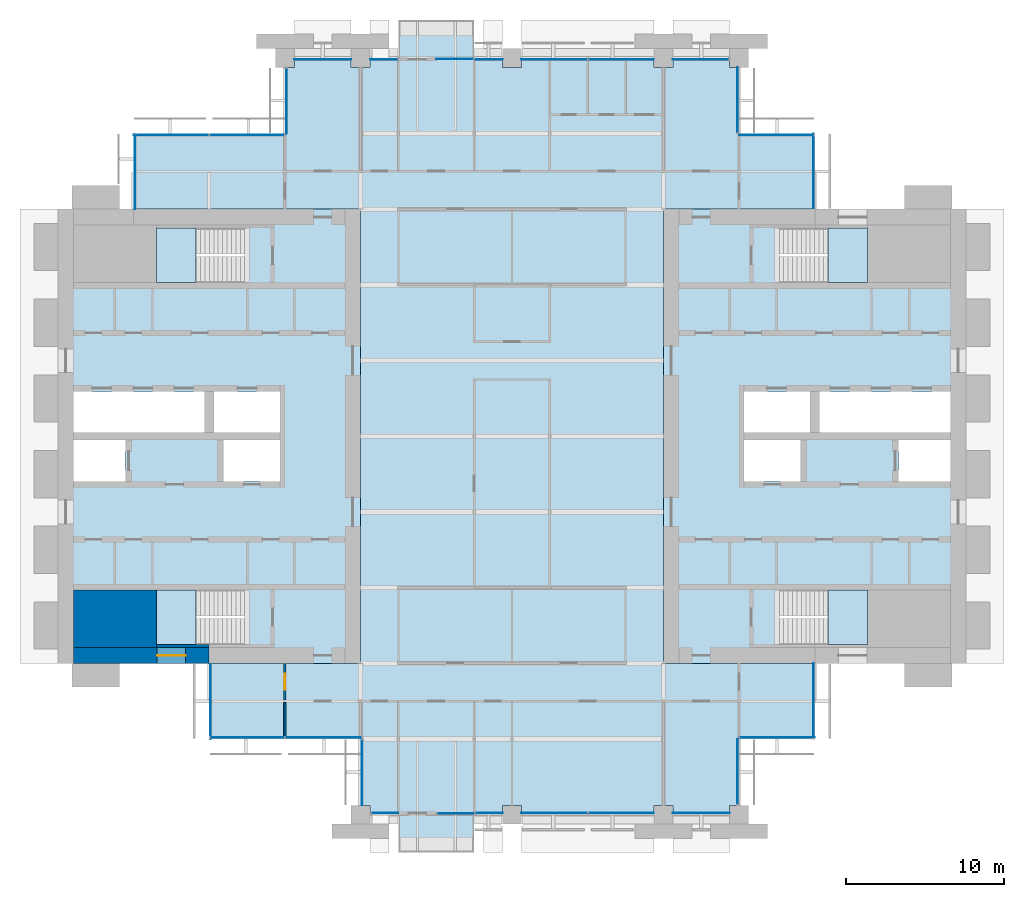
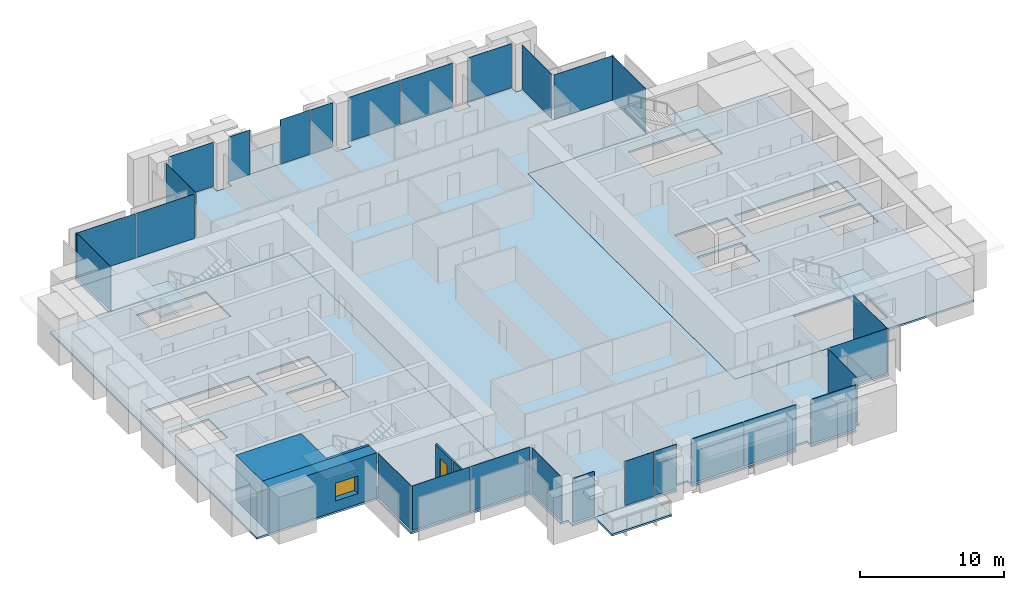
# One storey, part 8 of 15: 27 plates, 9 slabs, 5 walls, 1 door, 1 window, 2 openings, 22 elements without a shape of their own.
"""IFC4 building model written with IfcOpenShell, lengths in metres."""

from ifc_helpers import new_model, si_unit, direction, frame, frame_2d, origin, origin_2d, place, context, subcontext, project, spatial, polyline, rectangle, outline, extrude, material, layer, layer_set, type_object, element, fill, aggregate, save


model = new_model("IFC4")

# Units and contexts
model_context = context("Model", 3, precision=1e-05, world=origin(), true_north=direction((0.0, 1.0)))
body_context = subcontext(model_context, "Body", "Model", "MODEL_VIEW")
ifc_project = project(units=[si_unit("LENGTHUNIT", "METRE"), si_unit("AREAUNIT", "SQUARE_METRE"), si_unit("VOLUMEUNIT", "CUBIC_METRE"), si_unit("PLANEANGLEUNIT", "RADIAN"), si_unit("MASSUNIT", "GRAM", prefix="KILO")], contexts=[model_context])

# Site, building, storey
site_placement = place(None, origin())
site = spatial("IfcSite", under=ifc_project, at=site_placement, CompositionType="ELEMENT")
building_placement = place(site_placement, origin())
building = spatial("IfcBuilding", under=site, at=building_placement, Name="Baori Bourse Tower", CompositionType="ELEMENT")
storey_placement = place(building_placement, frame((0.0, 0.0, 152.10009765625)))
storey = spatial("IfcBuildingStorey", under=building, at=storey_placement, Name="L33", CompositionType="ELEMENT", Elevation=152.10009765625)

# Slabs
ifc_material_1 = material(Name="Concrete f'c 40 MPa", Category="concrete")
ifc_layer_1 = layer(ifc_material_1, 0.159912109375)
ifc_layer_set_1 = layer_set([ifc_layer_1], Name="BL2 Balcony slab 160")
slab_type_1 = type_object("IfcSlabType", Name="BL2 Balcony slab 160", PredefinedType="FLOOR", material=ifc_layer_set_1)
slab_1_placement = place(storey_placement, frame((0.0, 0.0, -0.16015625)))
element("IfcSlab", 1, at=slab_1_placement, inside=storey, type_object=slab_type_1, Name="Balcony slab L33 S", PredefinedType="FLOOR", context=body_context, shape_type="SweptSolid", body=[
    extrude(outline(polyline([(21.60009765625, 0.0), (21.60009765625, -2.39990234375), (26.39990234375, -2.39990234375), (26.39990234375, 0.0), (21.60009765625, 0.0)])), origin(), (0.0, 0.0, 1.0), 0.16015625),
])
slab_2_placement = place(storey_placement, frame((0.0, 0.0, -0.16015625)))
element("IfcSlab", 2, at=slab_2_placement, inside=storey, type_object=slab_type_1, Name="Balcony slab L33 N", PredefinedType="FLOOR", context=body_context, shape_type="SweptSolid", body=[
    extrude(outline(polyline([(21.60009765625, 48.0), (26.39990234375, 48.0), (26.39990234375, 50.39990234375), (21.60009765625, 50.39990234375), (21.60009765625, 48.0)])), origin(), (0.0, 0.0, 1.0), 0.16015625),
])

# Curtain wall, plates
ifc_material_2 = material(Name="Pale anodised aluminium", Category="aluminium")
curtain_wall_type_1 = type_object("IfcCurtainWallType", Name="CW1 Curtain wall", PredefinedType="NOTDEFINED", material=ifc_material_2)
curtain_wall_1_placement = place(storey_placement, origin())
curtain_wall_1 = element("IfcCurtainWall", 3, at=curtain_wall_1_placement, inside=storey, type_object=curtain_wall_type_1, Name="Curtain wall CW1 L33 4", PredefinedType="NOTDEFINED")
ifc_material_3 = material(Name="Clear glass", Category="glass")
ifc_layer_2 = layer(ifc_material_3, 0.033935546875)
ifc_layer_set_2 = layer_set([ifc_layer_2], Name="CW1 Curtain wall panel")
plate_type_1 = type_object("IfcPlateType", Name="CW1 Curtain wall panel", PredefinedType="CURTAIN_PANEL", material=ifc_layer_set_2)
plate_1_placement = place(storey_placement, frame((40.77001953125, 47.89990234375, 0.080078125), z_axis=(0.0, 0.0, 1.0), x_axis=(-1.0, 0.0, 0.0)))
plate_1 = element("IfcPlate", 4, at=plate_1_placement, type_object=plate_type_1, Name="Curtain wall CW1 panel", PredefinedType="CURTAIN_PANEL", context=body_context, shape_type="SweptSolid", body=[
    extrude(rectangle(XDim=3.5400390625, YDim=0.033935546875, at=origin_2d()), origin(), (0.0, 0.0, 1.0), 3.760009765625),
])
plate_2_placement = place(storey_placement, frame((35.715087890625, 47.89990234375, 0.080078125), z_axis=(0.0, 0.0, 1.0), x_axis=(-1.0, 0.0, 0.0)))
plate_2 = element("IfcPlate", 5, at=plate_2_placement, type_object=plate_type_1, Name="Curtain wall CW1 panel", PredefinedType="CURTAIN_PANEL", context=body_context, shape_type="SweptSolid", body=[
    extrude(rectangle(XDim=4.169921875, YDim=0.033935546875, at=origin_2d()), origin(), (0.0, 0.0, 1.0), 3.760009765625),
])
plate_3_placement = place(storey_placement, frame((31.485107421875, 47.89990234375, 0.080078125), z_axis=(0.0, 0.0, 1.0), x_axis=(-1.0, 0.0, 0.0)))
plate_3 = element("IfcPlate", 6, at=plate_3_placement, type_object=plate_type_1, Name="Curtain wall CW1 panel", PredefinedType="CURTAIN_PANEL", context=body_context, shape_type="SweptSolid", body=[
    extrude(rectangle(XDim=4.169921875, YDim=0.033935546875, at=origin_2d()), origin(), (0.0, 0.0, 1.0), 3.760009765625),
])
plate_4_placement = place(storey_placement, frame((27.300048828125, 47.89990234375, 0.080078125), z_axis=(0.0, 0.0, 1.0), x_axis=(-1.0, 0.0, 0.0)))
plate_4 = element("IfcPlate", 7, at=plate_4_placement, type_object=plate_type_1, Name="Curtain wall CW1 panel", PredefinedType="CURTAIN_PANEL", context=body_context, shape_type="SweptSolid", body=[
    extrude(rectangle(XDim=1.800048828125, YDim=0.033935546875, at=origin_2d()), origin(), (0.0, 0.0, 1.0), 3.760009765625),
])
aggregate(curtain_wall_1, [plate_1, plate_2, plate_3, plate_4])

curtain_wall_2_placement = place(storey_placement, origin())
curtain_wall_2 = element("IfcCurtainWall", 8, at=curtain_wall_2_placement, inside=storey, type_object=curtain_wall_type_1, Name="Curtain wall CW1 L33 6", PredefinedType="NOTDEFINED")
plate_5_placement = place(storey_placement, frame((20.669921875, 47.89990234375, 0.080078125), z_axis=(0.0, 0.0, 1.0), x_axis=(-1.0, 0.0, 0.0)))
plate_5 = element("IfcPlate", 9, at=plate_5_placement, type_object=plate_type_1, Name="Curtain wall CW1 panel", PredefinedType="CURTAIN_PANEL", context=body_context, shape_type="SweptSolid", body=[
    extrude(rectangle(XDim=1.739990234375, YDim=0.033935546875, at=origin_2d()), origin(), (0.0, 0.0, 1.0), 3.760009765625),
])
plate_6_placement = place(storey_placement, frame((16.800048828125, 47.89990234375, 0.080078125), z_axis=(0.0, 0.0, 1.0), x_axis=(-1.0, 0.0, 0.0)))
plate_6 = element("IfcPlate", 10, at=plate_6_placement, type_object=plate_type_1, Name="Curtain wall CW1 panel", PredefinedType="CURTAIN_PANEL", context=body_context, shape_type="SweptSolid", body=[
    extrude(rectangle(XDim=3.60009765625, YDim=0.033935546875, at=origin_2d()), origin(), (0.0, 0.0, 1.0), 3.760009765625),
])
aggregate(curtain_wall_2, [plate_5, plate_6])

# Curtain wall, plate
curtain_wall_3_placement = place(storey_placement, origin())
curtain_wall_3 = element("IfcCurtainWall", 11, at=curtain_wall_3_placement, inside=storey, type_object=curtain_wall_type_1, Name="Curtain wall CW1 L33 13", PredefinedType="NOTDEFINED")
plate_7_placement = place(storey_placement, frame((20.72998046875, 0.10009765625, 0.080078125), z_axis=(0.0, 0.0, 1.0), x_axis=(1.0, 0.0, 0.0)))
plate_7 = element("IfcPlate", 12, at=plate_7_placement, type_object=plate_type_1, Name="Curtain wall CW1 panel", PredefinedType="CURTAIN_PANEL", context=body_context, shape_type="SweptSolid", body=[
    extrude(rectangle(XDim=1.739990234375, YDim=0.033935546875, at=origin_2d()), origin(), (0.0, 0.0, 1.0), 3.760009765625),
])
aggregate(curtain_wall_3, [plate_7])

# Curtain wall, plates
curtain_wall_4_placement = place(storey_placement, origin())
curtain_wall_4 = element("IfcCurtainWall", 13, at=curtain_wall_4_placement, inside=storey, type_object=curtain_wall_type_1, Name="Curtain wall CW1 L33 15", PredefinedType="NOTDEFINED")
plate_8_placement = place(storey_placement, frame((27.330078125, 0.10009765625, 0.080078125), z_axis=(0.0, 0.0, 1.0), x_axis=(1.0, 0.0, 0.0)))
plate_8 = element("IfcPlate", 14, at=plate_8_placement, type_object=plate_type_1, Name="Curtain wall CW1 panel", PredefinedType="CURTAIN_PANEL", context=body_context, shape_type="SweptSolid", body=[
    extrude(rectangle(XDim=1.739990234375, YDim=0.033935546875, at=origin_2d()), origin(), (0.0, 0.0, 1.0), 3.760009765625),
])
plate_9_placement = place(storey_placement, frame((31.485107421875, 0.10009765625, 0.080078125), z_axis=(0.0, 0.0, 1.0), x_axis=(1.0, 0.0, 0.0)))
plate_9 = element("IfcPlate", 15, at=plate_9_placement, type_object=plate_type_1, Name="Curtain wall CW1 panel", PredefinedType="CURTAIN_PANEL", context=body_context, shape_type="SweptSolid", body=[
    extrude(rectangle(XDim=4.169921875, YDim=0.033935546875, at=origin_2d()), origin(), (0.0, 0.0, 1.0), 3.760009765625),
])
plate_10_placement = place(storey_placement, frame((35.715087890625, 0.10009765625, 0.080078125), z_axis=(0.0, 0.0, 1.0), x_axis=(1.0, 0.0, 0.0)))
plate_10 = element("IfcPlate", 16, at=plate_10_placement, type_object=plate_type_1, Name="Curtain wall CW1 panel", PredefinedType="CURTAIN_PANEL", context=body_context, shape_type="SweptSolid", body=[
    extrude(rectangle(XDim=4.169921875, YDim=0.033935546875, at=origin_2d()), origin(), (0.0, 0.0, 1.0), 3.760009765625),
])
plate_11_placement = place(storey_placement, frame((40.800048828125, 0.10009765625, 0.080078125), z_axis=(0.0, 0.0, 1.0), x_axis=(1.0, 0.0, 0.0)))
plate_11 = element("IfcPlate", 17, at=plate_11_placement, type_object=plate_type_1, Name="Curtain wall CW1 panel", PredefinedType="CURTAIN_PANEL", context=body_context, shape_type="SweptSolid", body=[
    extrude(rectangle(XDim=3.60009765625, YDim=0.033935546875, at=origin_2d()), origin(), (0.0, 0.0, 1.0), 3.760009765625),
])
aggregate(curtain_wall_4, [plate_8, plate_9, plate_10, plate_11])

# Curtain wall, plate
ifc_material_4 = material(Name="Pale anodised aluminium", Category="aluminium")
curtain_wall_type_2 = type_object("IfcCurtainWallType", Name="CW2 Curtain wall", PredefinedType="NOTDEFINED", material=ifc_material_4)
curtain_wall_5_placement = place(storey_placement, origin())
curtain_wall_5 = element("IfcCurtainWall", 18, at=curtain_wall_5_placement, inside=storey, type_object=curtain_wall_type_2, Name="Curtain wall CW2 L33 1", PredefinedType="NOTDEFINED")
ifc_material_5 = material(Name="Clear glass", Category="glass")
ifc_layer_3 = layer(ifc_material_5, 0.030029296875)
ifc_layer_set_3 = layer_set([ifc_layer_3], Name="CW2 Curtain wall panel")
plate_type_2 = type_object("IfcPlateType", Name="CW2 Curtain wall panel", PredefinedType="CURTAIN_PANEL", material=ifc_layer_set_3)
plate_12_placement = place(storey_placement, frame((47.909912109375, 40.827392578125, 0.06982421875), z_axis=(0.0, 0.0, 1.0), x_axis=(0.0, 1.0, 0.0)))
plate_12 = element("IfcPlate", 19, at=plate_12_placement, type_object=plate_type_2, Name="Curtain wall CW2 panel", PredefinedType="CURTAIN_PANEL", context=body_context, shape_type="SweptSolid", body=[
    extrude(rectangle(XDim=4.7451171875, YDim=0.030029296875, at=origin_2d()), origin(), (0.0, 0.0, 1.0), 3.77001953125),
])
aggregate(curtain_wall_5, [plate_12])

curtain_wall_6_placement = place(storey_placement, origin())
curtain_wall_6 = element("IfcCurtainWall", 20, at=curtain_wall_6_placement, inside=storey, type_object=curtain_wall_type_2, Name="Curtain wall CW2 L33 2", PredefinedType="NOTDEFINED")
plate_13_placement = place(storey_placement, frame((45.572509765625, 43.110107421875, 0.06982421875), z_axis=(0.0, 0.0, 1.0), x_axis=(-1.0, 0.0, 0.0)))
plate_13 = element("IfcPlate", 21, at=plate_13_placement, type_object=plate_type_2, Name="Curtain wall CW2 panel", PredefinedType="CURTAIN_PANEL", context=body_context, shape_type="SweptSolid", body=[
    extrude(rectangle(XDim=4.7451171875, YDim=0.030029296875, at=origin_2d()), origin(), (0.0, 0.0, 1.0), 3.77001953125),
])
aggregate(curtain_wall_6, [plate_13])

curtain_wall_7_placement = place(storey_placement, origin())
curtain_wall_7 = element("IfcCurtainWall", 22, at=curtain_wall_7_placement, inside=storey, type_object=curtain_wall_type_2, Name="Curtain wall CW2 L33 3", PredefinedType="NOTDEFINED")
plate_14_placement = place(storey_placement, frame((43.110107421875, 45.327392578125, 0.06982421875), z_axis=(0.0, 0.0, 1.0), x_axis=(0.0, 1.0, 0.0)))
plate_14 = element("IfcPlate", 23, at=plate_14_placement, type_object=plate_type_2, Name="Curtain wall CW2 panel", PredefinedType="CURTAIN_PANEL", context=body_context, shape_type="SweptSolid", body=[
    extrude(rectangle(XDim=4.14501953125, YDim=0.030029296875, at=origin_2d()), origin(), (0.0, 0.0, 1.0), 3.77001953125),
])
aggregate(curtain_wall_7, [plate_14])

curtain_wall_8_placement = place(storey_placement, origin())
curtain_wall_8 = element("IfcCurtainWall", 24, at=curtain_wall_8_placement, inside=storey, type_object=curtain_wall_type_2, Name="Curtain wall CW2 L33 7", PredefinedType="NOTDEFINED")
plate_15_placement = place(storey_placement, frame((14.489990234375, 45.2724609375, 0.06982421875), z_axis=(0.0, 0.0, 1.0), x_axis=(0.0, -1.0, 0.0)))
plate_15 = element("IfcPlate", 25, at=plate_15_placement, type_object=plate_type_2, Name="Curtain wall CW2 panel", PredefinedType="CURTAIN_PANEL", context=body_context, shape_type="SweptSolid", body=[
    extrude(rectangle(XDim=4.14501953125, YDim=0.030029296875, at=origin_2d()), origin(), (0.0, 0.0, 1.0), 3.77001953125),
])
aggregate(curtain_wall_8, [plate_15])

# Curtain wall, plates
curtain_wall_9_placement = place(storey_placement, origin())
curtain_wall_9 = element("IfcCurtainWall", 26, at=curtain_wall_9_placement, inside=storey, type_object=curtain_wall_type_2, Name="Curtain wall CW2 L33 8", PredefinedType="NOTDEFINED")
plate_16_placement = place(storey_placement, frame((11.986328125, 43.110107421875, 0.06982421875), z_axis=(0.0, 0.0, 1.0), x_axis=(-1.0, 0.0, 0.0)))
plate_16 = element("IfcPlate", 27, at=plate_16_placement, type_object=plate_type_2, Name="Curtain wall CW2 panel", PredefinedType="CURTAIN_PANEL", context=body_context, shape_type="SweptSolid", body=[
    extrude(rectangle(XDim=4.717529296875, YDim=0.030029296875, at=origin_2d()), origin(), (0.0, 0.0, 1.0), 3.77001953125),
])
plate_17_placement = place(storey_placement, frame((7.186279296875, 43.110107421875, 0.06982421875), z_axis=(0.0, 0.0, 1.0), x_axis=(-1.0, 0.0, 0.0)))
plate_17 = element("IfcPlate", 28, at=plate_17_placement, type_object=plate_type_2, Name="Curtain wall CW2 panel", PredefinedType="CURTAIN_PANEL", context=body_context, shape_type="SweptSolid", body=[
    extrude(rectangle(XDim=4.7724609375, YDim=0.030029296875, at=origin_2d()), origin(), (0.0, 0.0, 1.0), 3.77001953125),
])
aggregate(curtain_wall_9, [plate_16, plate_17])

# Curtain wall, plate
curtain_wall_10_placement = place(storey_placement, origin())
curtain_wall_10 = element("IfcCurtainWall", 29, at=curtain_wall_10_placement, inside=storey, type_object=curtain_wall_type_2, Name="Curtain wall CW2 L33 9", PredefinedType="NOTDEFINED")
plate_18_placement = place(storey_placement, frame((4.889892578125, 40.7724609375, 0.06982421875), z_axis=(0.0, 0.0, 1.0), x_axis=(0.0, -1.0, 0.0)))
plate_18 = element("IfcPlate", 30, at=plate_18_placement, type_object=plate_type_2, Name="Curtain wall CW2 panel", PredefinedType="CURTAIN_PANEL", context=body_context, shape_type="SweptSolid", body=[
    extrude(rectangle(XDim=4.7451171875, YDim=0.030029296875, at=origin_2d()), origin(), (0.0, 0.0, 1.0), 3.77001953125),
])
aggregate(curtain_wall_10, [plate_18])

curtain_wall_11_placement = place(storey_placement, origin())
curtain_wall_11 = element("IfcCurtainWall", 31, at=curtain_wall_11_placement, inside=storey, type_object=curtain_wall_type_2, Name="Curtain wall CW2 L33 10", PredefinedType="NOTDEFINED")
plate_19_placement = place(storey_placement, frame((9.68994140625, 7.172607421875, 0.06982421875), z_axis=(0.0, 0.0, 1.0), x_axis=(0.0, -1.0, 0.0)))
plate_19 = element("IfcPlate", 32, at=plate_19_placement, type_object=plate_type_2, Name="Curtain wall CW2 panel", PredefinedType="CURTAIN_PANEL", context=body_context, shape_type="SweptSolid", body=[
    extrude(rectangle(XDim=4.7451171875, YDim=0.030029296875, at=origin_2d()), origin(), (0.0, 0.0, 1.0), 3.77001953125),
])
aggregate(curtain_wall_11, [plate_19])

# Curtain wall, plates
curtain_wall_12_placement = place(storey_placement, origin())
curtain_wall_12 = element("IfcCurtainWall", 33, at=curtain_wall_12_placement, inside=storey, type_object=curtain_wall_type_2, Name="Curtain wall CW2 L33 11", PredefinedType="NOTDEFINED")
plate_20_placement = place(storey_placement, frame((12.013671875, 4.889892578125, 0.06982421875), z_axis=(0.0, 0.0, 1.0), x_axis=(1.0, 0.0, 0.0)))
plate_20 = element("IfcPlate", 34, at=plate_20_placement, type_object=plate_type_2, Name="Curtain wall CW2 panel", PredefinedType="CURTAIN_PANEL", context=body_context, shape_type="SweptSolid", body=[
    extrude(rectangle(XDim=4.717529296875, YDim=0.030029296875, at=origin_2d()), origin(), (0.0, 0.0, 1.0), 3.77001953125),
])
plate_21_placement = place(storey_placement, frame((16.813720703125, 4.889892578125, 0.06982421875), z_axis=(0.0, 0.0, 1.0), x_axis=(1.0, 0.0, 0.0)))
plate_21 = element("IfcPlate", 35, at=plate_21_placement, type_object=plate_type_2, Name="Curtain wall CW2 panel", PredefinedType="CURTAIN_PANEL", context=body_context, shape_type="SweptSolid", body=[
    extrude(rectangle(XDim=4.7724609375, YDim=0.030029296875, at=origin_2d()), origin(), (0.0, 0.0, 1.0), 3.77001953125),
])
aggregate(curtain_wall_12, [plate_20, plate_21])

# Curtain wall, plate
curtain_wall_13_placement = place(storey_placement, origin())
curtain_wall_13 = element("IfcCurtainWall", 36, at=curtain_wall_13_placement, inside=storey, type_object=curtain_wall_type_2, Name="Curtain wall CW2 L33 12", PredefinedType="NOTDEFINED")
plate_22_placement = place(storey_placement, frame((19.2900390625, 2.672607421875, 0.06982421875), z_axis=(0.0, 0.0, 1.0), x_axis=(0.0, -1.0, 0.0)))
plate_22 = element("IfcPlate", 37, at=plate_22_placement, type_object=plate_type_2, Name="Curtain wall CW2 panel", PredefinedType="CURTAIN_PANEL", context=body_context, shape_type="SweptSolid", body=[
    extrude(rectangle(XDim=4.14501953125, YDim=0.030029296875, at=origin_2d()), origin(), (0.0, 0.0, 1.0), 3.77001953125),
])
aggregate(curtain_wall_13, [plate_22])

curtain_wall_14_placement = place(storey_placement, origin())
curtain_wall_14 = element("IfcCurtainWall", 38, at=curtain_wall_14_placement, inside=storey, type_object=curtain_wall_type_2, Name="Curtain wall CW2 L33 16", PredefinedType="NOTDEFINED")
plate_23_placement = place(storey_placement, frame((43.110107421875, 2.7275390625, 0.06982421875), z_axis=(0.0, 0.0, 1.0), x_axis=(0.0, 1.0, 0.0)))
plate_23 = element("IfcPlate", 39, at=plate_23_placement, type_object=plate_type_2, Name="Curtain wall CW2 panel", PredefinedType="CURTAIN_PANEL", context=body_context, shape_type="SweptSolid", body=[
    extrude(rectangle(XDim=4.14501953125, YDim=0.030029296875, at=origin_2d()), origin(), (0.0, 0.0, 1.0), 3.77001953125),
])
aggregate(curtain_wall_14, [plate_23])

curtain_wall_15_placement = place(storey_placement, origin())
curtain_wall_15 = element("IfcCurtainWall", 40, at=curtain_wall_15_placement, inside=storey, type_object=curtain_wall_type_2, Name="Curtain wall CW2 L33 17", PredefinedType="NOTDEFINED")
plate_24_placement = place(storey_placement, frame((45.62744140625, 4.889892578125, 0.06982421875), z_axis=(0.0, 0.0, 1.0), x_axis=(1.0, 0.0, 0.0)))
plate_24 = element("IfcPlate", 41, at=plate_24_placement, type_object=plate_type_2, Name="Curtain wall CW2 panel", PredefinedType="CURTAIN_PANEL", context=body_context, shape_type="SweptSolid", body=[
    extrude(rectangle(XDim=4.7451171875, YDim=0.030029296875, at=origin_2d()), origin(), (0.0, 0.0, 1.0), 3.77001953125),
])
aggregate(curtain_wall_15, [plate_24])

curtain_wall_16_placement = place(storey_placement, origin())
curtain_wall_16 = element("IfcCurtainWall", 42, at=curtain_wall_16_placement, inside=storey, type_object=curtain_wall_type_2, Name="Curtain wall CW2 L33 18", PredefinedType="NOTDEFINED")
plate_25_placement = place(storey_placement, frame((47.909912109375, 7.2275390625, 0.06982421875), z_axis=(0.0, 0.0, 1.0), x_axis=(0.0, 1.0, 0.0)))
plate_25 = element("IfcPlate", 43, at=plate_25_placement, type_object=plate_type_2, Name="Curtain wall CW2 panel", PredefinedType="CURTAIN_PANEL", context=body_context, shape_type="SweptSolid", body=[
    extrude(rectangle(XDim=4.7451171875, YDim=0.030029296875, at=origin_2d()), origin(), (0.0, 0.0, 1.0), 3.77001953125),
])
aggregate(curtain_wall_16, [plate_25])

ifc_material_6 = material(Name="Pale anodised aluminium", Category="aluminium")
curtain_wall_type_3 = type_object("IfcCurtainWallType", Name="CW6 Curtain wall", PredefinedType="NOTDEFINED", material=ifc_material_6)
curtain_wall_17_placement = place(storey_placement, origin())
curtain_wall_17 = element("IfcCurtainWall", 44, at=curtain_wall_17_placement, inside=storey, type_object=curtain_wall_type_3, Name="Curtain wall CW6 L33 5", PredefinedType="NOTDEFINED")
ifc_material_7 = material(Name="Clear glass", Category="glass")
ifc_layer_4 = layer(ifc_material_7, 0.028076171875)
ifc_layer_set_4 = layer_set([ifc_layer_4], Name="CW6 Curtain wall panel")
plate_type_3 = type_object("IfcPlateType", Name="CW6 Curtain wall panel", PredefinedType="CURTAIN_PANEL", material=ifc_layer_set_4)
plate_26_placement = place(storey_placement, frame((25.175048828125, 47.925048828125, 0.06494140625), z_axis=(0.0, 0.0, 1.0), x_axis=(-1.0, 0.0, 0.0)))
plate_26 = element("IfcPlate", 45, at=plate_26_placement, type_object=plate_type_3, Name="Curtain wall CW6 panel", PredefinedType="CURTAIN_PANEL", context=body_context, shape_type="SweptSolid", body=[
    extrude(rectangle(XDim=2.35009765625, YDim=0.028076171875, at=origin_2d()), origin(), (0.0, 0.0, 1.0), 3.77490234375),
])
aggregate(curtain_wall_17, [plate_26])

curtain_wall_18_placement = place(storey_placement, origin())
curtain_wall_18 = element("IfcCurtainWall", 46, at=curtain_wall_18_placement, inside=storey, type_object=curtain_wall_type_3, Name="Curtain wall CW6 L33 14", PredefinedType="NOTDEFINED")
plate_27_placement = place(storey_placement, frame((25.22509765625, 0.074951171875, 0.06494140625), z_axis=(0.0, 0.0, 1.0), x_axis=(1.0, 0.0, 0.0)))
plate_27 = element("IfcPlate", 47, at=plate_27_placement, type_object=plate_type_3, Name="Curtain wall CW6 panel", PredefinedType="CURTAIN_PANEL", context=body_context, shape_type="SweptSolid", body=[
    extrude(rectangle(XDim=2.35009765625, YDim=0.028076171875, at=origin_2d()), origin(), (0.0, 0.0, 1.0), 3.77490234375),
])
aggregate(curtain_wall_18, [plate_27])

# Slabs
ifc_material_8 = material(Name="Concrete f'c 50 MPa", Category="concrete")
ifc_layer_5 = layer(ifc_material_8, 0.159912109375)
ifc_layer_set_5 = layer_set([ifc_layer_5], Name="Core slab 160")
slab_type_2 = type_object("IfcSlabType", Name="Core slab 160", PredefinedType="FLOOR", material=ifc_layer_set_5)
slab_3_placement = place(storey_placement, frame((0.0, 0.0, -0.16015625)))
element("IfcSlab", 48, at=slab_3_placement, inside=storey, type_object=slab_type_2, Name="Core floor slab W01", PredefinedType="FLOOR", context=body_context, shape_type="SweptSolid", body=[
    extrude(outline(polyline([(0.0, 38.39990234375), (0.0, 9.60009765625), (19.199951171875, 9.60009765625), (19.199951171875, 38.39990234375), (0.0, 38.39990234375)]), holes=[polyline([(10.5, 21.14990234375), (10.5, 23.75), (14.10009765625, 23.75), (14.10009765625, 21.14990234375), (10.5, 21.14990234375)]), polyline([(14.10009765625, 24.25), (9.89990234375, 24.25), (9.89990234375, 26.85009765625), (14.10009765625, 26.85009765625), (14.10009765625, 24.25)]), polyline([(6.25, 14.25), (11.84912109375, 14.25), (11.84912109375, 10.800048828125), (6.25, 10.800048828125), (6.25, 14.25)]), polyline([(11.84912109375, 37.199951171875), (11.84912109375, 33.75), (6.25, 33.75), (6.25, 37.199951171875), (11.84912109375, 37.199951171875)]), polyline([(1.0, 26.85009765625), (9.300048828125, 26.85009765625), (9.300048828125, 24.25), (1.0, 24.25), (1.0, 26.85009765625)]), polyline([(4.300048828125, 23.75), (4.300048828125, 21.14990234375), (1.0, 21.14990234375), (1.0, 23.75), (4.300048828125, 23.75)])]), origin(), (0.0, 0.0, 1.0), 0.16015625),
])
slab_4_placement = place(storey_placement, frame((0.0, 0.0, -0.16015625)))
element("IfcSlab", 49, at=slab_4_placement, inside=storey, type_object=slab_type_2, Name="Core floor slab E01", PredefinedType="FLOOR", context=body_context, shape_type="SweptSolid", body=[
    extrude(outline(polyline([(57.60009765625, 38.39990234375), (38.39990234375, 38.39990234375), (38.39990234375, 9.60009765625), (57.60009765625, 9.60009765625), (57.60009765625, 38.39990234375)]), holes=[polyline([(56.60009765625, 21.14990234375), (53.300048828125, 21.14990234375), (53.300048828125, 23.75), (56.60009765625, 23.75), (56.60009765625, 21.14990234375)]), polyline([(56.60009765625, 26.85009765625), (56.60009765625, 24.25), (48.300048828125, 24.25), (48.300048828125, 26.85009765625), (56.60009765625, 26.85009765625)]), polyline([(45.750732421875, 14.25), (51.35009765625, 14.25), (51.35009765625, 10.800048828125), (45.750732421875, 10.800048828125), (45.750732421875, 14.25)]), polyline([(51.35009765625, 37.199951171875), (51.35009765625, 33.75), (45.750732421875, 33.75), (45.750732421875, 37.199951171875), (51.35009765625, 37.199951171875)]), polyline([(43.5, 24.25), (43.5, 26.85009765625), (47.699951171875, 26.85009765625), (47.699951171875, 24.25), (43.5, 24.25)]), polyline([(43.5, 23.75), (47.10009765625, 23.75), (47.10009765625, 21.14990234375), (43.5, 21.14990234375), (43.5, 23.75)])]), origin(), (0.0, 0.0, 1.0), 0.16015625),
])

# Stair, slab
ifc_material_9 = material(Name="Concrete f'c 50 MPa", Category="concrete")
stair_type = type_object("IfcStairType", Name="Core stair", PredefinedType="HALF_TURN_STAIR", material=ifc_material_9)
stair_1_placement = place(storey_placement, origin())
stair_1 = element("IfcStair", 50, at=stair_1_placement, inside=storey, type_object=stair_type, Name="L33 Stair WA", PredefinedType="HALF_TURN_STAIR")
ifc_material_10 = material(Name="Concrete f'c 50 MPa", Category="concrete")
slab_type_3 = type_object("IfcSlabType", Name="Core stair landing", PredefinedType="LANDING", material=ifc_material_10)
slab_5_placement = place(storey_placement, frame((0.0, 0.0, 1.7998046875)))
slab_5 = element("IfcSlab", 51, at=slab_5_placement, type_object=slab_type_3, Name="ST1 landing 1", PredefinedType="LANDING", context=body_context, shape_type="SweptSolid", body=[
    extrude(outline(polyline([(8.77001953125, 14.25), (6.25, 14.25), (6.25, 10.800048828125), (8.77001953125, 10.800048828125), (8.77001953125, 14.25)])), origin(), (0.0, 0.0, 1.0), 0.2001953125),
])
aggregate(stair_1, [slab_5])

stair_2_placement = place(storey_placement, origin())
stair_2 = element("IfcStair", 52, at=stair_2_placement, inside=storey, type_object=stair_type, Name="L33 Stair WB", PredefinedType="HALF_TURN_STAIR")
slab_6_placement = place(storey_placement, frame((0.0, 0.0, 1.7998046875)))
slab_6 = element("IfcSlab", 53, at=slab_6_placement, type_object=slab_type_3, Name="ST2 landing 1", PredefinedType="LANDING", context=body_context, shape_type="SweptSolid", body=[
    extrude(outline(polyline([(8.77001953125, 37.199951171875), (6.25, 37.199951171875), (6.25, 33.75), (8.77001953125, 33.75), (8.77001953125, 37.199951171875)])), origin(), (0.0, 0.0, 1.0), 0.2001953125),
])
aggregate(stair_2, [slab_6])

stair_3_placement = place(storey_placement, origin())
stair_3 = element("IfcStair", 54, at=stair_3_placement, inside=storey, type_object=stair_type, Name="L33 Stair EA", PredefinedType="HALF_TURN_STAIR")
slab_7_placement = place(storey_placement, frame((0.0, 0.0, 1.7998046875)))
slab_7 = element("IfcSlab", 55, at=slab_7_placement, type_object=slab_type_3, Name="ST3 landing 1", PredefinedType="LANDING", context=body_context, shape_type="SweptSolid", body=[
    extrude(outline(polyline([(48.830078125, 10.800048828125), (51.35009765625, 10.800048828125), (51.35009765625, 14.25), (48.830078125, 14.25), (48.830078125, 10.800048828125)])), origin(), (0.0, 0.0, 1.0), 0.2001953125),
])
aggregate(stair_3, [slab_7])

stair_4_placement = place(storey_placement, origin())
stair_4 = element("IfcStair", 56, at=stair_4_placement, inside=storey, type_object=stair_type, Name="L33 Stair EB", PredefinedType="HALF_TURN_STAIR")
slab_8_placement = place(storey_placement, frame((0.0, 0.0, 1.7998046875)))
slab_8 = element("IfcSlab", 57, at=slab_8_placement, type_object=slab_type_3, Name="ST4 landing 1", PredefinedType="LANDING", context=body_context, shape_type="SweptSolid", body=[
    extrude(outline(polyline([(48.830078125, 33.75), (51.35009765625, 33.75), (51.35009765625, 37.199951171875), (48.830078125, 37.199951171875), (48.830078125, 33.75)])), origin(), (0.0, 0.0, 1.0), 0.2001953125),
])
aggregate(stair_4, [slab_8])

# Slab
ifc_material_11 = material(Name="Concrete f'c 40 MPa", Category="concrete")
ifc_layer_6 = layer(ifc_material_11, 0.159912109375)
ifc_layer_set_6 = layer_set([ifc_layer_6], Name="Floor slab 160")
slab_type_4 = type_object("IfcSlabType", Name="Floor slab 160", PredefinedType="FLOOR", material=ifc_layer_set_6)
slab_9_placement = place(storey_placement, frame((0.0, 0.0, -0.16015625)))
element("IfcSlab", 58, at=slab_9_placement, inside=storey, type_object=slab_type_4, Name="Floor slab L33", PredefinedType="FLOOR", context=body_context, shape_type="SweptSolid", body=[
    extrude(outline(polyline([(19.199951171875, 4.800048828125), (9.60009765625, 4.800048828125), (9.60009765625, 9.60009765625), (19.199951171875, 9.60009765625), (19.199951171875, 38.39990234375), (4.800048828125, 38.39990234375), (4.800048828125, 43.199951171875), (14.39990234375, 43.199951171875), (14.39990234375, 47.39990234375), (15.0, 47.39990234375), (15.0, 48.0), (18.60009765625, 48.0), (18.60009765625, 47.39990234375), (19.800048828125, 47.39990234375), (19.800048828125, 48.0), (28.199951171875, 48.0), (28.199951171875, 47.39990234375), (29.39990234375, 47.39990234375), (29.39990234375, 48.0), (37.800048828125, 48.0), (37.800048828125, 47.39990234375), (39.0, 47.39990234375), (39.0, 48.0), (42.60009765625, 48.0), (42.60009765625, 47.39990234375), (43.199951171875, 47.39990234375), (43.199951171875, 43.199951171875), (48.0, 43.199951171875), (48.0, 38.39990234375), (38.39990234375, 38.39990234375), (38.39990234375, 9.60009765625), (48.0, 9.60009765625), (48.0, 4.800048828125), (43.199951171875, 4.800048828125), (43.199951171875, 0.60009765625), (42.60009765625, 0.60009765625), (42.60009765625, 0.0), (39.0, 0.0), (39.0, 0.60009765625), (37.800048828125, 0.60009765625), (37.800048828125, 0.0), (29.39990234375, 0.0), (29.39990234375, 0.60009765625), (28.199951171875, 0.60009765625), (28.199951171875, 0.0), (19.800048828125, 0.0), (19.800048828125, 0.60009765625), (19.199951171875, 0.60009765625), (19.199951171875, 4.800048828125)])), origin(), (0.0, 0.0, 1.0), 0.16015625),
])

# Wall
ifc_material_12 = material(Name="Concrete f'c 60 MPa", Category="concrete")
wall_type_1 = type_object("IfcWallType", Name="Core corner block f'c 60", PredefinedType="SHEAR", material=ifc_material_12)
wall_1_placement = place(storey_placement, frame((1.0, 12.425048828125, 0.0), z_axis=(0.0, 0.0, 1.0), x_axis=(1.0, 0.0, 0.0)))
element("IfcWall", 59, at=wall_1_placement, inside=storey, type_object=wall_type_1, Name="Core wall W05", PredefinedType="SHEAR", context=body_context, shape_type="SweptSolid", body=[
    extrude(rectangle(XDim=5.25, YDim=3.64990234375, at=frame_2d((2.625, 0.0))), origin(), (0.0, 0.0, 1.0), 3.83984375),
])

# Wall, opening, window
ifc_material_13 = material(Name="Concrete f'c 60 MPa", Category="concrete")
ifc_layer_7 = layer(ifc_material_13, 1.0)
ifc_layer_set_7 = layer_set([ifc_layer_7], Name="Core wall 1000 f'c 60")
wall_type_2 = type_object("IfcWallType", Name="Core wall 1000 f'c 60", PredefinedType="SHEAR", material=ifc_layer_set_7)
wall_2_placement = place(storey_placement, frame((9.60009765625, 10.10009765625, 0.0), z_axis=(0.0, 0.0, 1.0), x_axis=(-1.0, 0.0, 0.0)))
wall_2 = element("IfcWall", 60, at=wall_2_placement, inside=storey, type_object=wall_type_2, Name="Core wall W02", PredefinedType="SHEAR", context=body_context, shape_type="SweptSolid", body=[
    extrude(rectangle(XDim=8.60009765625, YDim=1.0, at=frame_2d((4.300048828125, 0.0))), origin(), (0.0, 0.0, 1.0), 3.83984375),
])
opening_1_placement = place(wall_2_placement, frame((1.5, 0.0, 0.89990234375)))
opening_1 = element("IfcOpeningElement", 61, at=opening_1_placement, cuts=wall_2, Name="Opening L33-KW103", PredefinedType="OPENING", context=body_context, shape_type="SweptSolid", body=[
    extrude(rectangle(XDim=1.800048828125, YDim=1.5, at=frame_2d((0.89990234375, 0.75))), frame((0.0, 0.510009765625, 0.0), z_axis=(0.0, -1.0, 0.0), x_axis=(1.0, 0.0, 0.0)), (0.0, 0.0, 1.0), 1.02001953125),
])
ifc_material_14 = material(Name="Pale anodised aluminium", Category="aluminium")
window_type = type_object("IfcWindowType", Name="Stair window 1800 x 1500", PartitioningType="SINGLE_PANEL", PredefinedType="WINDOW", material=ifc_material_14)
window_placement = place(opening_1_placement, origin())
window = element("IfcWindow", 62, at=window_placement, inside=storey, type_object=window_type, Name="Stair window W L33 3", OverallHeight=1.5, OverallWidth=1.800048828125, PartitioningType="SINGLE_PANEL", PredefinedType="WINDOW", context=body_context, shape_type="SweptSolid", body=[
    extrude(rectangle(XDim=1.800048828125, YDim=1.5, at=frame_2d((0.89990234375, 0.75))), frame((0.0, 0.030029296875, 0.0), z_axis=(0.0, -1.0, 0.0), x_axis=(1.0, 0.0, 0.0)), (0.0, 0.0, 1.0), 0.06005859375),
])
fill(opening_1, window)

# Wall, opening, door
ifc_material_15 = material(Name="Gypsum board partition")
ifc_layer_8 = layer(ifc_material_15, 0.14990234375)
ifc_layer_set_8 = layer_set([ifc_layer_8], Name="Corridor partition 150")
wall_type_3 = type_object("IfcWallType", Name="Corridor partition 150", PredefinedType="PARTITIONING", material=ifc_layer_set_8)
wall_3_placement = place(storey_placement, frame((14.39990234375, 7.27490234375, 0.0), z_axis=(0.0, 0.0, 1.0), x_axis=(0.0, 1.0, 0.0)))
wall_3 = element("IfcWall", 63, at=wall_3_placement, inside=storey, type_object=wall_type_3, Name="Partition", PredefinedType="PARTITIONING", context=body_context, shape_type="SweptSolid", body=[
    extrude(rectangle(XDim=2.3251953125, YDim=0.14990234375, at=frame_2d((1.16259765625, 0.0))), origin(), (0.0, 0.0, 1.0), 2.935546875),
])
opening_2_placement = place(wall_3_placement, frame((0.66259765625, 0.0, 0.0)))
opening_2 = element("IfcOpeningElement", 64, at=opening_2_placement, cuts=wall_3, Name="Opening L33-D21", PredefinedType="OPENING", context=body_context, shape_type="SweptSolid", body=[
    extrude(rectangle(XDim=1.0, YDim=2.10009765625, at=frame_2d((0.5, 1.050048828125))), frame((0.0, 0.0849609375, 0.0), z_axis=(0.0, -1.0, 0.0), x_axis=(1.0, 0.0, 0.0)), (0.0, 0.0, 1.0), 0.169921875),
])
ifc_material_16 = material(Name="Timber door leaf", Category="wood")
door_type = type_object("IfcDoorType", Name="Door 1000 x 2100", OperationType="SINGLE_SWING_LEFT", PredefinedType="DOOR", material=ifc_material_16)
door_placement = place(opening_2_placement, origin())
door = element("IfcDoor", 65, at=door_placement, inside=storey, type_object=door_type, Name="Door", OperationType="SINGLE_SWING_RIGHT", OverallHeight=2.10009765625, OverallWidth=1.0, PredefinedType="DOOR", context=body_context, shape_type="SweptSolid", body=[
    extrude(rectangle(XDim=1.0, YDim=2.10009765625, at=frame_2d((0.5, 1.050048828125))), frame((0.0, 0.02490234375, 0.0), z_axis=(0.0, -1.0, 0.0), x_axis=(1.0, 0.0, 0.0)), (0.0, 0.0, 1.0), 0.050048828125),
])
fill(opening_2, door)

# Walls
ifc_material_17 = material(Name="Gypsum board partition")
ifc_layer_9 = layer(ifc_material_17, 0.125)
ifc_layer_set_9 = layer_set([ifc_layer_9], Name="Partition 125")
wall_type_4 = type_object("IfcWallType", Name="Partition 125", PredefinedType="PARTITIONING", material=ifc_layer_set_9)
wall_4_placement = place(storey_placement, frame((14.39990234375, 4.89990234375, 0.0), z_axis=(0.0, 0.0, 1.0), x_axis=(0.0, 1.0, 0.0)))
element("IfcWall", 66, at=wall_4_placement, inside=storey, type_object=wall_type_4, Name="Partition", PredefinedType="PARTITIONING", context=body_context, shape_type="SweptSolid", body=[
    extrude(rectangle(XDim=2.22509765625, YDim=0.125, at=frame_2d((1.112548828125, 0.0))), origin(), (0.0, 0.0, 1.0), 2.935546875),
])
ifc_material_18 = material(Name="Concrete f'c 60 MPa", Category="concrete")
ifc_layer_10 = layer(ifc_material_18, 0.199951171875)
ifc_layer_set_10 = layer_set([ifc_layer_10], Name="Shaft wall 200 f'c 60")
wall_type_5 = type_object("IfcWallType", Name="Shaft wall 200 f'c 60", PredefinedType="SHEAR", material=ifc_layer_set_10)
wall_5_placement = place(storey_placement, frame((6.25, 10.699951171875, 0.0), z_axis=(0.0, 0.0, 1.0), x_axis=(1.0, 0.0, 0.0)))
element("IfcWall", 67, at=wall_5_placement, inside=storey, type_object=wall_type_5, Name="Core wall W06", PredefinedType="SHEAR", context=body_context, shape_type="SweptSolid", body=[
    extrude(rectangle(XDim=3.35009765625, YDim=0.199951171875, at=frame_2d((1.675048828125, 0.0))), origin(), (0.0, 0.0, 1.0), 3.83984375),
])

save(model, "model.ifc")
